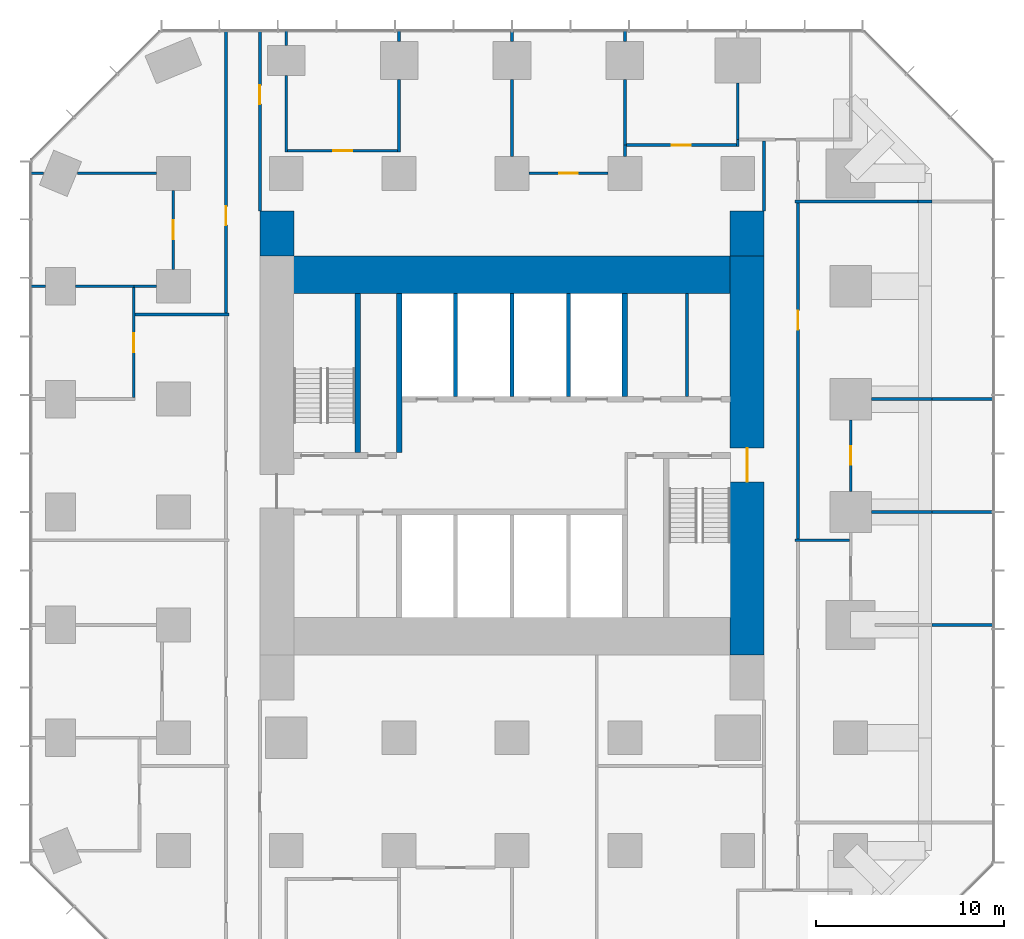
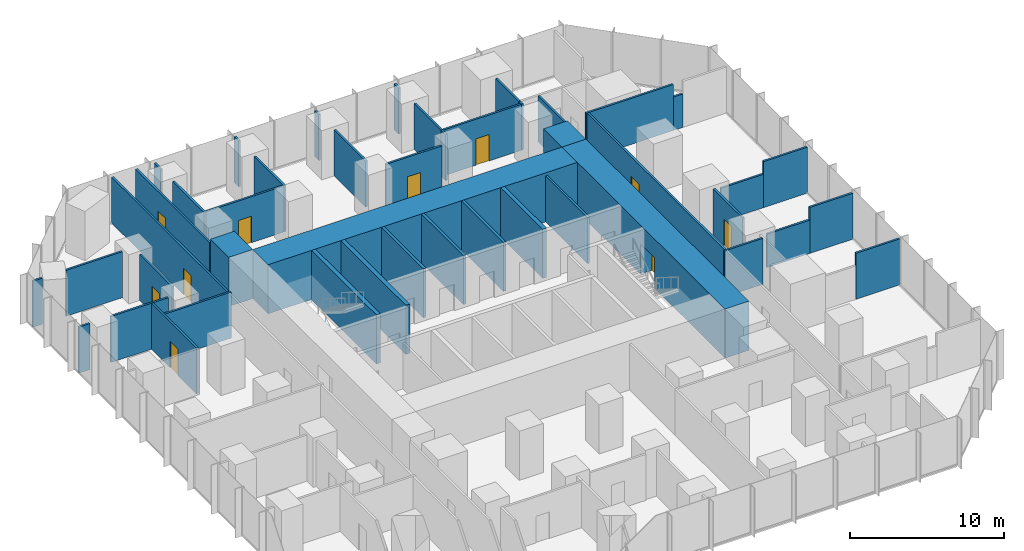
# One storey, part 10 of 12: 46 walls, 10 doors, 10 openings.
"""IFC4 building model written with IfcOpenShell, lengths in metres."""

from ifc_helpers import new_model, si_unit, direction, frame, frame_2d, origin, place, context, subcontext, project, spatial, rectangle, extrude, material, layer, layer_set, type_object, element, fill, save


model = new_model("IFC4")

# Units and contexts
model_context = context("Model", 3, precision=1e-05, world=origin(), true_north=direction((0.0, 1.0)))
body_context = subcontext(model_context, "Body", "Model", "MODEL_VIEW")
ifc_project = project(units=[si_unit("LENGTHUNIT", "METRE"), si_unit("AREAUNIT", "SQUARE_METRE"), si_unit("VOLUMEUNIT", "CUBIC_METRE"), si_unit("PLANEANGLEUNIT", "RADIAN"), si_unit("MASSUNIT", "GRAM", prefix="KILO")], contexts=[model_context])

# Site, building, storey
site_placement = place(None, origin())
site = spatial("IfcSite", under=ifc_project, at=site_placement, CompositionType="ELEMENT")
building_placement = place(site_placement, origin())
building = spatial("IfcBuilding", under=site, at=building_placement, Name="Highveld Stack Headquarters", CompositionType="ELEMENT")
storey_placement = place(building_placement, frame((0.0, 0.0, 53.300048828125)))
storey = spatial("IfcBuildingStorey", under=building, at=storey_placement, Name="L12", CompositionType="ELEMENT", Elevation=53.300048828125)

# Wall, opening, door
ifc_material_1 = material(Name="Concrete C60/75", Category="concrete")
ifc_layer_1 = layer(ifc_material_1, 1.800048828125)
ifc_layer_set_1 = layer_set([ifc_layer_1], Name="Concrete C60/75")
wall_type_1 = type_object("IfcWallType", Name="CORE WALL 1800 C60/75", PredefinedType="SHEAR", material=ifc_layer_set_1)
wall_1_placement = place(storey_placement, frame((18.5, -7.60009765625, 0.0), z_axis=(0.0, 0.0, 1.0), x_axis=(0.0, 1.0, 0.0)))
wall_1 = element("IfcWall", 1, at=wall_1_placement, inside=storey, type_object=wall_type_1, Name="Core wall E L12", PredefinedType="SHEAR", context=body_context, shape_type="SweptSolid", body=[
    extrude(rectangle(XDim=21.2001953125, YDim=1.800048828125, at=frame_2d((10.60009765625, 0.0))), origin(), (0.0, 0.0, 1.0), 3.89990234375),
])
opening_1_placement = place(wall_1_placement, frame((9.199951171875, 0.0, 0.0)))
opening_1 = element("IfcOpeningElement", 2, at=opening_1_placement, cuts=wall_1, Name="Opening L12-02", PredefinedType="OPENING", context=body_context, shape_type="SweptSolid", body=[
    extrude(rectangle(XDim=1.800048828125, YDim=2.39990234375, at=frame_2d((0.89990234375, 1.199951171875))), frame((0.0, 0.909912109375, 0.0), z_axis=(0.0, -1.0, 0.0), x_axis=(1.0, 0.0, 0.0)), (0.0, 0.0, 1.0), 1.820068359375),
])
ifc_material_2 = material(Name="Steel fire door", Category="steel")
door_type_1 = type_object("IfcDoorType", Name="LOBBY FIRE DOOR D4 1800x2400", OperationType="DOUBLE_DOOR_SINGLE_SWING", PredefinedType="DOOR", material=ifc_material_2)
door_1_placement = place(opening_1_placement, origin())
door_1 = element("IfcDoor", 3, at=door_1_placement, inside=storey, type_object=door_type_1, Name="Core east door L12", OperationType="DOUBLE_DOOR_SINGLE_SWING", OverallHeight=2.39990234375, OverallWidth=1.800048828125, PredefinedType="DOOR", context=body_context, shape_type="SweptSolid", body=[
    extrude(rectangle(XDim=1.800048828125, YDim=2.39990234375, at=frame_2d((0.89990234375, 1.199951171875))), frame((0.0, 0.02490234375, 0.0), z_axis=(0.0, -1.0, 0.0), x_axis=(1.0, 0.0, 0.0)), (0.0, 0.0, 1.0), 0.050048828125),
])
fill(opening_1, door_1)

# Walls
ifc_material_3 = material(Name="Concrete C60/75", Category="concrete")
ifc_layer_2 = layer(ifc_material_3, 2.0)
ifc_layer_set_2 = layer_set([ifc_layer_2], Name="Concrete C60/75")
wall_type_2 = type_object("IfcWallType", Name="CORE WALL 2000 C60/75", PredefinedType="SHEAR", material=ifc_layer_set_2)
wall_2_placement = place(storey_placement, frame((-5.60009765625, 12.60009765625, 0.0), z_axis=(0.0, 0.0, 1.0), x_axis=(1.0, 0.0, 0.0)))
element("IfcWall", 4, at=wall_2_placement, inside=storey, type_object=wall_type_2, Name="Core wall N L12", PredefinedType="SHEAR", context=body_context, shape_type="SweptSolid", body=[
    extrude(rectangle(XDim=23.2001953125, YDim=2.0, at=frame_2d((11.60009765625, 0.0))), origin(), (0.0, 0.0, 1.0), 3.89990234375),
])
ifc_material_4 = material(Name="Concrete C60/75", Category="concrete")
ifc_layer_3 = layer(ifc_material_4, 0.300048828125)
ifc_layer_set_3 = layer_set([ifc_layer_3], Name="Concrete C60/75")
wall_type_3 = type_object("IfcWallType", Name="CORE WALL 300 C60/75", PredefinedType="SHEAR", material=ifc_layer_set_3)
wall_3_placement = place(storey_placement, frame((0.0, 3.14990234375, 0.0), z_axis=(0.0, 0.0, 1.0), x_axis=(0.0, 1.0, 0.0)))
element("IfcWall", 5, at=wall_3_placement, inside=storey, type_object=wall_type_3, Name="Core wall I-X0N L12", PredefinedType="SHEAR", context=body_context, shape_type="SweptSolid", body=[
    extrude(rectangle(XDim=8.4501953125, YDim=0.300048828125, at=frame_2d((4.22509765625, 0.0))), origin(), (0.0, 0.0, 1.0), 3.89990234375),
])
wall_4_placement = place(storey_placement, frame((12.0, 6.14990234375, 0.0), z_axis=(0.0, 0.0, 1.0), x_axis=(0.0, 1.0, 0.0)))
element("IfcWall", 6, at=wall_4_placement, inside=storey, type_object=wall_type_3, Name="Core wall I-X12N L12", PredefinedType="SHEAR", context=body_context, shape_type="SweptSolid", body=[
    extrude(rectangle(XDim=5.4501953125, YDim=0.300048828125, at=frame_2d((2.72509765625, 0.0))), origin(), (0.0, 0.0, 1.0), 3.89990234375),
])
wall_5_placement = place(storey_placement, frame((-2.199951171875, 3.14990234375, 0.0), z_axis=(0.0, 0.0, 1.0), x_axis=(0.0, 1.0, 0.0)))
element("IfcWall", 7, at=wall_5_placement, inside=storey, type_object=wall_type_3, Name="Core wall I-RW L12", PredefinedType="SHEAR", context=body_context, shape_type="SweptSolid", body=[
    extrude(rectangle(XDim=8.4501953125, YDim=0.300048828125, at=frame_2d((4.22509765625, 0.0))), origin(), (0.0, 0.0, 1.0), 3.89990234375),
])
ifc_material_5 = material(Name="Concrete C60/75", Category="concrete")
ifc_layer_4 = layer(ifc_material_5, 1.800048828125)
ifc_layer_set_4 = layer_set([ifc_layer_4], Name="Concrete C60/75")
wall_type_4 = type_object("IfcWallType", Name="CORE WING WALL 1800 C60/75", PredefinedType="SHEAR", material=ifc_layer_set_4)
for number, where, z_axis, x_axis, name in (
    (8, (-6.5, 13.60009765625, 0.0), (0.0, 0.0, 1.0), (0.0, 1.0, 0.0), "Core wing wall WN L12"),
    (9, (18.5, 13.60009765625, 0.0), (0.0, 0.0, 1.0), (0.0, 1.0, 0.0), "Core wing wall EN L12"),
):
    element("IfcWall", number, at=place(storey_placement, frame(where, z_axis=z_axis, x_axis=x_axis)), inside=storey, type_object=wall_type_4, Name=name, PredefinedType="SHEAR", context=body_context, shape_type="SweptSolid", body=[
        extrude(rectangle(XDim=2.39990234375, YDim=1.800048828125, at=frame_2d((1.199951171875, 0.0))), origin(), (0.0, 0.0, 1.0), 3.89990234375),
    ])

# Wall, opening, door
ifc_material_6 = material(Name="Laminated glass in aluminium frame", Category="aluminium")
ifc_layer_5 = layer(ifc_material_6, 0.14990234375)
ifc_layer_set_5 = layer_set([ifc_layer_5], Name="Laminated glass in aluminium frame")
wall_type_5 = type_object("IfcWallType", Name="GLAZED PARTITION 150", PredefinedType="PARTITIONING", material=ifc_layer_set_5)
wall_6_placement = place(storey_placement, frame((24.0, 1.10009765625, 0.0), z_axis=(0.0, 0.0, 1.0), x_axis=(0.0, 1.0, 0.0)))
wall_6 = element("IfcWall", 10, at=wall_6_placement, inside=storey, type_object=wall_type_5, Name="Glazed partition Meeting room L12", PredefinedType="PARTITIONING", context=body_context, shape_type="SweptSolid", body=[
    extrude(rectangle(XDim=3.7998046875, YDim=0.14990234375, at=frame_2d((1.89990234375, 0.0))), origin(), (0.0, 0.0, 1.0), 3.64990234375),
])
opening_2_placement = place(wall_6_placement, frame((1.39990234375, 0.0, 0.0)))
opening_2 = element("IfcOpeningElement", 11, at=opening_2_placement, cuts=wall_6, Name="Opening L12-19", PredefinedType="OPENING", context=body_context, shape_type="SweptSolid", body=[
    extrude(rectangle(XDim=1.0, YDim=2.10009765625, at=frame_2d((0.5, 1.050048828125))), frame((0.0, 0.0849609375, 0.0), z_axis=(0.0, -1.0, 0.0), x_axis=(1.0, 0.0, 0.0)), (0.0, 0.0, 1.0), 0.169921875),
])
ifc_material_7 = material(Name="Timber door, oiled ash", Category="wood")
door_type_2 = type_object("IfcDoorType", Name="ROOM DOOR D6 1000x2100", OperationType="SINGLE_SWING_LEFT", PredefinedType="DOOR", material=ifc_material_7)
door_2_placement = place(opening_2_placement, origin())
door_2 = element("IfcDoor", 12, at=door_2_placement, inside=storey, type_object=door_type_2, Name="Meeting room door 1 L12", OperationType="SINGLE_SWING_RIGHT", OverallHeight=2.10009765625, OverallWidth=1.0, PredefinedType="DOOR", context=body_context, shape_type="SweptSolid", body=[
    extrude(rectangle(XDim=1.0, YDim=2.10009765625, at=frame_2d((0.5, 1.050048828125))), frame((0.0, 0.02490234375, 0.0), z_axis=(0.0, -1.0, 0.0), x_axis=(1.0, 0.0, 0.0)), (0.0, 0.0, 1.0), 0.050048828125),
])
fill(opening_2, door_2)

# Walls
ifc_material_8 = material(Name="Concrete blockwork, fair-faced", Category="masonry")
ifc_layer_6 = layer(ifc_material_8, 0.199951171875)
ifc_layer_set_6 = layer_set([ifc_layer_6], Name="Concrete blockwork, fair-faced")
wall_type_6 = type_object("IfcWallType", Name="LIFT SHAFT ENCLOSURE WALL 200 BLOCKWORK", PredefinedType="SOLIDWALL", material=ifc_layer_set_6)
for number, where, z_axis, x_axis, name in (
    (13, (3.0, 6.14990234375, 0.0), (0.0, 0.0, 1.0), (0.0, 1.0, 0.0), "Lift shaft wall L12"),
    (14, (6.0, 6.14990234375, 0.0), (0.0, 0.0, 1.0), (0.0, 1.0, 0.0), "Lift shaft wall L12"),
    (15, (9.0, 6.14990234375, 0.0), (0.0, 0.0, 1.0), (0.0, 1.0, 0.0), "Lift shaft wall L12"),
):
    element("IfcWall", number, at=place(storey_placement, frame(where, z_axis=z_axis, x_axis=x_axis)), inside=storey, type_object=wall_type_6, Name=name, PredefinedType="SOLIDWALL", context=body_context, shape_type="SweptSolid", body=[
        extrude(rectangle(XDim=5.4501953125, YDim=0.199951171875, at=frame_2d((2.72509765625, 0.0))), origin(), (0.0, 0.0, 1.0), 3.89990234375),
    ])
ifc_material_9 = material(Name="Gypsum plasterboard on steel studs", Category="steel")
ifc_layer_7 = layer(ifc_material_9, 0.14990234375)
ifc_layer_set_7 = layer_set([ifc_layer_7], Name="Gypsum plasterboard on steel studs")
wall_type_7 = type_object("IfcWallType", Name="PARTITION 150 PLASTERBOARD", PredefinedType="PARTITIONING", material=ifc_layer_set_7)
wall_7_placement = place(storey_placement, frame((28.31005859375, -6.0, 0.0), z_axis=(0.0, 0.0, 1.0), x_axis=(1.0, 0.0, 0.0)))
element("IfcWall", 16, at=wall_7_placement, inside=storey, type_object=wall_type_7, Name="Partition Meeting room L12", PredefinedType="PARTITIONING", context=body_context, shape_type="SweptSolid", body=[
    extrude(rectangle(XDim=3.2900390625, YDim=0.14990234375, at=frame_2d((1.64501953125, 0.0))), origin(), (0.0, 0.0, 1.0), 3.64990234375),
])
wall_8_placement = place(storey_placement, frame((25.10009765625, 0.0, 0.0), z_axis=(0.0, 0.0, 1.0), x_axis=(1.0, 0.0, 0.0)))
element("IfcWall", 17, at=wall_8_placement, inside=storey, type_object=wall_type_7, Name="Partition Meeting room L12", PredefinedType="PARTITIONING", context=body_context, shape_type="SweptSolid", body=[
    extrude(rectangle(XDim=3.2099609375, YDim=0.14990234375, at=frame_2d((1.60498046875, 0.0))), origin(), (0.0, 0.0, 1.0), 2.64990234375),
])
wall_9_placement = place(storey_placement, frame((28.31005859375, 0.0, 0.0), z_axis=(0.0, 0.0, 1.0), x_axis=(1.0, 0.0, 0.0)))
element("IfcWall", 18, at=wall_9_placement, inside=storey, type_object=wall_type_7, Name="Partition Meeting room L12", PredefinedType="PARTITIONING", context=body_context, shape_type="SweptSolid", body=[
    extrude(rectangle(XDim=3.239990234375, YDim=0.14990234375, at=frame_2d((1.6201171875, 0.0))), origin(), (0.0, 0.0, 1.0), 3.64990234375),
])
wall_10_placement = place(storey_placement, frame((25.10009765625, 6.0, 0.0), z_axis=(0.0, 0.0, 1.0), x_axis=(1.0, 0.0, 0.0)))
element("IfcWall", 19, at=wall_10_placement, inside=storey, type_object=wall_type_7, Name="Partition Meeting room L12", PredefinedType="PARTITIONING", context=body_context, shape_type="SweptSolid", body=[
    extrude(rectangle(XDim=3.2099609375, YDim=0.14990234375, at=frame_2d((1.60498046875, 0.0))), origin(), (0.0, 0.0, 1.0), 2.64990234375),
])
wall_11_placement = place(storey_placement, frame((28.31005859375, 6.0, 0.0), z_axis=(0.0, 0.0, 1.0), x_axis=(1.0, 0.0, 0.0)))
element("IfcWall", 20, at=wall_11_placement, inside=storey, type_object=wall_type_7, Name="Partition Meeting room L12", PredefinedType="PARTITIONING", context=body_context, shape_type="SweptSolid", body=[
    extrude(rectangle(XDim=3.2900390625, YDim=0.14990234375, at=frame_2d((1.64501953125, 0.0))), origin(), (0.0, 0.0, 1.0), 3.64990234375),
])
wall_12_placement = place(storey_placement, frame((-19.60009765625, 12.0, 0.0), z_axis=(0.0, 0.0, 1.0), x_axis=(1.0, 0.0, 0.0)))
element("IfcWall", 21, at=wall_12_placement, inside=storey, type_object=wall_type_7, Name="Partition Focus room / Office L12", PredefinedType="PARTITIONING", context=body_context, shape_type="SweptSolid", body=[
    extrude(rectangle(XDim=0.800048828125, YDim=0.14990234375, at=frame_2d((0.39990234375, 0.0))), origin(), (0.0, 0.0, 1.0), 3.64990234375),
])
wall_13_placement = place(storey_placement, frame((-17.199951171875, 12.0, 0.0), z_axis=(0.0, 0.0, 1.0), x_axis=(1.0, 0.0, 0.0)))
element("IfcWall", 22, at=wall_13_placement, inside=storey, type_object=wall_type_7, Name="Partition Focus room / Office L12", PredefinedType="PARTITIONING", context=body_context, shape_type="SweptSolid", body=[
    extrude(rectangle(XDim=3.175048828125, YDim=0.14990234375, at=frame_2d((1.58740234375, 0.0))), origin(), (0.0, 0.0, 1.0), 3.64990234375),
])
wall_14_placement = place(storey_placement, frame((-14.10009765625, 12.0, 0.0), z_axis=(0.0, 0.0, 1.0), x_axis=(1.0, 0.0, 0.0)))
element("IfcWall", 23, at=wall_14_placement, inside=storey, type_object=wall_type_7, Name="Partition Office L12", PredefinedType="PARTITIONING", context=body_context, shape_type="SweptSolid", body=[
    extrude(rectangle(XDim=1.2001953125, YDim=0.14990234375, at=frame_2d((0.60009765625, 0.0))), origin(), (0.0, 0.0, 1.0), 3.64990234375),
])
wall_15_placement = place(storey_placement, frame((-19.60009765625, 18.0, 0.0), z_axis=(0.0, 0.0, 1.0), x_axis=(1.0, 0.0, 0.0)))
element("IfcWall", 24, at=wall_15_placement, inside=storey, type_object=wall_type_7, Name="Partition Office L12", PredefinedType="PARTITIONING", context=body_context, shape_type="SweptSolid", body=[
    extrude(rectangle(XDim=0.703125, YDim=0.14990234375, at=frame_2d((0.3515625, 0.0))), origin(), (0.0, 0.0, 1.0), 3.64990234375),
])
wall_16_placement = place(storey_placement, frame((-17.10302734375, 18.0, 0.0), z_axis=(0.0, 0.0, 1.0), x_axis=(1.0, 0.0, 0.0)))
element("IfcWall", 25, at=wall_16_placement, inside=storey, type_object=wall_type_7, Name="Partition Office L12", PredefinedType="PARTITIONING", context=body_context, shape_type="SweptSolid", body=[
    extrude(rectangle(XDim=4.203125, YDim=0.14990234375, at=frame_2d((2.1015625, 0.0))), origin(), (0.0, 0.0, 1.0), 3.64990234375),
])

# Wall, opening, door
wall_17_placement = place(storey_placement, frame((6.89990234375, 18.0, 0.0), z_axis=(0.0, 0.0, 1.0), x_axis=(1.0, 0.0, 0.0)))
wall_17 = element("IfcWall", 26, at=wall_17_placement, inside=storey, type_object=wall_type_7, Name="Partition Office L12", PredefinedType="PARTITIONING", context=body_context, shape_type="SweptSolid", body=[
    extrude(rectangle(XDim=4.2001953125, YDim=0.14990234375, at=frame_2d((2.10009765625, 0.0))), origin(), (0.0, 0.0, 1.0), 3.64990234375),
])
opening_3_placement = place(wall_17_placement, frame((1.60009765625, 0.0, 0.0)))
opening_3 = element("IfcOpeningElement", 27, at=opening_3_placement, cuts=wall_17, Name="Opening L12-21", PredefinedType="OPENING", context=body_context, shape_type="SweptSolid", body=[
    extrude(rectangle(XDim=1.0, YDim=2.10009765625, at=frame_2d((0.5, 1.050048828125))), frame((0.0, 0.0849609375, 0.0), z_axis=(0.0, -1.0, 0.0), x_axis=(1.0, 0.0, 0.0)), (0.0, 0.0, 1.0), 0.169921875),
])
door_3_placement = place(opening_3_placement, origin())
door_3 = element("IfcDoor", 28, at=door_3_placement, inside=storey, type_object=door_type_2, Name="Office door 1 L12", OperationType="SINGLE_SWING_LEFT", OverallHeight=2.10009765625, OverallWidth=1.0, PredefinedType="DOOR", context=body_context, shape_type="SweptSolid", body=[
    extrude(rectangle(XDim=1.0, YDim=2.10009765625, at=frame_2d((0.5, 1.050048828125))), frame((0.0, 0.02490234375, 0.0), z_axis=(0.0, -1.0, 0.0), x_axis=(1.0, 0.0, 0.0)), (0.0, 0.0, 1.0), 0.050048828125),
])
fill(opening_3, door_3)

wall_18_placement = place(storey_placement, frame((-5.925048828125, 19.199951171875, 0.0), z_axis=(0.0, 0.0, 1.0), x_axis=(1.0, 0.0, 0.0)))
wall_18 = element("IfcWall", 29, at=wall_18_placement, inside=storey, type_object=wall_type_7, Name="Partition Tea kitchen L12", PredefinedType="PARTITIONING", context=body_context, shape_type="SweptSolid", body=[
    extrude(rectangle(XDim=5.85009765625, YDim=0.14990234375, at=frame_2d((2.925048828125, 0.0))), origin(), (0.0, 0.0, 1.0), 3.64990234375),
])
opening_4_placement = place(wall_18_placement, frame((2.425048828125, 0.0, 0.0)))
opening_4 = element("IfcOpeningElement", 30, at=opening_4_placement, cuts=wall_18, Name="Opening L12-20", PredefinedType="OPENING", context=body_context, shape_type="SweptSolid", body=[
    extrude(rectangle(XDim=1.0, YDim=2.10009765625, at=frame_2d((0.5, 1.050048828125))), frame((0.0, 0.0849609375, 0.0), z_axis=(0.0, -1.0, 0.0), x_axis=(1.0, 0.0, 0.0)), (0.0, 0.0, 1.0), 0.169921875),
])
door_4_placement = place(opening_4_placement, origin())
door_4 = element("IfcDoor", 31, at=door_4_placement, inside=storey, type_object=door_type_2, Name="Tea kitchen door 1 L12", OperationType="SINGLE_SWING_RIGHT", OverallHeight=2.10009765625, OverallWidth=1.0, PredefinedType="DOOR", context=body_context, shape_type="SweptSolid", body=[
    extrude(rectangle(XDim=1.0, YDim=2.10009765625, at=frame_2d((0.5, 1.050048828125))), frame((0.0, 0.02490234375, 0.0), z_axis=(0.0, -1.0, 0.0), x_axis=(1.0, 0.0, 0.0)), (0.0, 0.0, 1.0), 0.050048828125),
])
fill(opening_4, door_4)

wall_19_placement = place(storey_placement, frame((12.074951171875, 19.5, 0.0), z_axis=(0.0, 0.0, 1.0), x_axis=(1.0, 0.0, 0.0)))
wall_19 = element("IfcWall", 32, at=wall_19_placement, inside=storey, type_object=wall_type_7, Name="Partition Quiet room L12", PredefinedType="PARTITIONING", context=body_context, shape_type="SweptSolid", body=[
    extrude(rectangle(XDim=5.85009765625, YDim=0.14990234375, at=frame_2d((2.925048828125, 0.0))), origin(), (0.0, 0.0, 1.0), 3.64990234375),
])
opening_5_placement = place(wall_19_placement, frame((2.425048828125, 0.0, 0.0)))
opening_5 = element("IfcOpeningElement", 33, at=opening_5_placement, cuts=wall_19, Name="Opening L12-22", PredefinedType="OPENING", context=body_context, shape_type="SweptSolid", body=[
    extrude(rectangle(XDim=1.0, YDim=2.10009765625, at=frame_2d((0.5, 1.050048828125))), frame((0.0, 0.0849609375, 0.0), z_axis=(0.0, -1.0, 0.0), x_axis=(1.0, 0.0, 0.0)), (0.0, 0.0, 1.0), 0.169921875),
])
door_5_placement = place(opening_5_placement, origin())
door_5 = element("IfcDoor", 34, at=door_5_placement, inside=storey, type_object=door_type_2, Name="Quiet room door 1 L12", OperationType="SINGLE_SWING_RIGHT", OverallHeight=2.10009765625, OverallWidth=1.0, PredefinedType="DOOR", context=body_context, shape_type="SweptSolid", body=[
    extrude(rectangle(XDim=1.0, YDim=2.10009765625, at=frame_2d((0.5, 1.050048828125))), frame((0.0, 0.02490234375, 0.0), z_axis=(0.0, -1.0, 0.0), x_axis=(1.0, 0.0, 0.0)), (0.0, 0.0, 1.0), 0.050048828125),
])
fill(opening_5, door_5)

wall_20_placement = place(storey_placement, frame((-14.10009765625, 6.074951171875, 0.0), z_axis=(0.0, 0.0, 1.0), x_axis=(0.0, 1.0, 0.0)))
wall_20 = element("IfcWall", 35, at=wall_20_placement, inside=storey, type_object=wall_type_7, Name="Partition Focus room L12", PredefinedType="PARTITIONING", context=body_context, shape_type="SweptSolid", body=[
    extrude(rectangle(XDim=5.85009765625, YDim=0.14990234375, at=frame_2d((2.925048828125, 0.0))), origin(), (0.0, 0.0, 1.0), 3.64990234375),
])
opening_6_placement = place(wall_20_placement, frame((2.425048828125, 0.0, 0.0)))
opening_6 = element("IfcOpeningElement", 36, at=opening_6_placement, cuts=wall_20, Name="Opening L12-16", PredefinedType="OPENING", context=body_context, shape_type="SweptSolid", body=[
    extrude(rectangle(XDim=1.0, YDim=2.10009765625, at=frame_2d((0.5, 1.050048828125))), frame((0.0, 0.0849609375, 0.0), z_axis=(0.0, -1.0, 0.0), x_axis=(1.0, 0.0, 0.0)), (0.0, 0.0, 1.0), 0.169921875),
])
door_6_placement = place(opening_6_placement, origin())
door_6 = element("IfcDoor", 37, at=door_6_placement, inside=storey, type_object=door_type_2, Name="Focus room door 1 L12", OperationType="SINGLE_SWING_RIGHT", OverallHeight=2.10009765625, OverallWidth=1.0, PredefinedType="DOOR", context=body_context, shape_type="SweptSolid", body=[
    extrude(rectangle(XDim=1.0, YDim=2.10009765625, at=frame_2d((0.5, 1.050048828125))), frame((0.0, 0.02490234375, 0.0), z_axis=(0.0, -1.0, 0.0), x_axis=(1.0, 0.0, 0.0)), (0.0, 0.0, 1.0), 0.050048828125),
])
fill(opening_6, door_6)

wall_21_placement = place(storey_placement, frame((-12.0, 12.89990234375, 0.0), z_axis=(0.0, 0.0, 1.0), x_axis=(0.0, 1.0, 0.0)))
wall_21 = element("IfcWall", 38, at=wall_21_placement, inside=storey, type_object=wall_type_7, Name="Partition Office L12", PredefinedType="PARTITIONING", context=body_context, shape_type="SweptSolid", body=[
    extrude(rectangle(XDim=4.2001953125, YDim=0.14990234375, at=frame_2d((2.10009765625, 0.0))), origin(), (0.0, 0.0, 1.0), 3.64990234375),
])
opening_7_placement = place(wall_21_placement, frame((1.60009765625, 0.0, 0.0)))
opening_7 = element("IfcOpeningElement", 39, at=opening_7_placement, cuts=wall_21, Name="Opening L12-17", PredefinedType="OPENING", context=body_context, shape_type="SweptSolid", body=[
    extrude(rectangle(XDim=1.0, YDim=2.10009765625, at=frame_2d((0.5, 1.050048828125))), frame((0.0, 0.0849609375, 0.0), z_axis=(0.0, -1.0, 0.0), x_axis=(1.0, 0.0, 0.0)), (0.0, 0.0, 1.0), 0.169921875),
])
door_7_placement = place(opening_7_placement, origin())
door_7 = element("IfcDoor", 40, at=door_7_placement, inside=storey, type_object=door_type_2, Name="Office door 1 L12", OperationType="SINGLE_SWING_LEFT", OverallHeight=2.10009765625, OverallWidth=1.0, PredefinedType="DOOR", context=body_context, shape_type="SweptSolid", body=[
    extrude(rectangle(XDim=1.0, YDim=2.10009765625, at=frame_2d((0.5, 1.050048828125))), frame((0.0, 0.02490234375, 0.0), z_axis=(0.0, -1.0, 0.0), x_axis=(1.0, 0.0, 0.0)), (0.0, 0.0, 1.0), 0.050048828125),
])
fill(opening_7, door_7)

# Walls
wall_22_placement = place(storey_placement, frame((-6.0, 19.125, 0.0), z_axis=(0.0, 0.0, 1.0), x_axis=(0.0, 1.0, 0.0)))
element("IfcWall", 41, at=wall_22_placement, inside=storey, type_object=wall_type_7, Name="Partition Tea kitchen L12", PredefinedType="PARTITIONING", context=body_context, shape_type="SweptSolid", body=[
    extrude(rectangle(XDim=4.074951171875, YDim=0.14990234375, at=frame_2d((2.03759765625, 0.0))), origin(), (0.0, 0.0, 1.0), 3.64990234375),
])
wall_23_placement = place(storey_placement, frame((-6.0, 24.800048828125, 0.0), z_axis=(0.0, 0.0, 1.0), x_axis=(0.0, 1.0, 0.0)))
element("IfcWall", 42, at=wall_23_placement, inside=storey, type_object=wall_type_7, Name="Partition Tea kitchen L12", PredefinedType="PARTITIONING", context=body_context, shape_type="SweptSolid", body=[
    extrude(rectangle(XDim=0.800048828125, YDim=0.14990234375, at=frame_2d((0.39990234375, 0.0))), origin(), (0.0, 0.0, 1.0), 3.64990234375),
])
wall_24_placement = place(storey_placement, frame((0.0, 19.125, 0.0), z_axis=(0.0, 0.0, 1.0), x_axis=(0.0, 1.0, 0.0)))
element("IfcWall", 43, at=wall_24_placement, inside=storey, type_object=wall_type_7, Name="Partition Tea kitchen L12", PredefinedType="PARTITIONING", context=body_context, shape_type="SweptSolid", body=[
    extrude(rectangle(XDim=3.875, YDim=0.14990234375, at=frame_2d((1.9375, 0.0))), origin(), (0.0, 0.0, 1.0), 3.64990234375),
])
wall_25_placement = place(storey_placement, frame((0.0, 25.0, 0.0), z_axis=(0.0, 0.0, 1.0), x_axis=(0.0, 1.0, 0.0)))
element("IfcWall", 44, at=wall_25_placement, inside=storey, type_object=wall_type_7, Name="Partition Tea kitchen L12", PredefinedType="PARTITIONING", context=body_context, shape_type="SweptSolid", body=[
    extrude(rectangle(XDim=0.60009765625, YDim=0.14990234375, at=frame_2d((0.300048828125, 0.0))), origin(), (0.0, 0.0, 1.0), 3.64990234375),
])
wall_26_placement = place(storey_placement, frame((6.0, 18.89990234375, 0.0), z_axis=(0.0, 0.0, 1.0), x_axis=(0.0, 1.0, 0.0)))
element("IfcWall", 45, at=wall_26_placement, inside=storey, type_object=wall_type_7, Name="Partition Office L12", PredefinedType="PARTITIONING", context=body_context, shape_type="SweptSolid", body=[
    extrude(rectangle(XDim=4.10009765625, YDim=0.14990234375, at=frame_2d((2.050048828125, 0.0))), origin(), (0.0, 0.0, 1.0), 3.64990234375),
])
wall_27_placement = place(storey_placement, frame((6.0, 25.0, 0.0), z_axis=(0.0, 0.0, 1.0), x_axis=(0.0, 1.0, 0.0)))
element("IfcWall", 46, at=wall_27_placement, inside=storey, type_object=wall_type_7, Name="Partition Office L12", PredefinedType="PARTITIONING", context=body_context, shape_type="SweptSolid", body=[
    extrude(rectangle(XDim=0.550048828125, YDim=0.14990234375, at=frame_2d((0.27490234375, 0.0))), origin(), (0.0, 0.0, 1.0), 3.64990234375),
])
wall_28_placement = place(storey_placement, frame((12.0, 18.89990234375, 0.0), z_axis=(0.0, 0.0, 1.0), x_axis=(0.0, 1.0, 0.0)))
element("IfcWall", 47, at=wall_28_placement, inside=storey, type_object=wall_type_7, Name="Partition Office L12", PredefinedType="PARTITIONING", context=body_context, shape_type="SweptSolid", body=[
    extrude(rectangle(XDim=0.60009765625, YDim=0.14990234375, at=frame_2d((0.300048828125, 0.0))), origin(), (0.0, 0.0, 1.0), 3.64990234375),
])
wall_29_placement = place(storey_placement, frame((12.0, 19.5, 0.0), z_axis=(0.0, 0.0, 1.0), x_axis=(0.0, 1.0, 0.0)))
element("IfcWall", 48, at=wall_29_placement, inside=storey, type_object=wall_type_7, Name="Partition Office / Quiet room L12", PredefinedType="PARTITIONING", context=body_context, shape_type="SweptSolid", body=[
    extrude(rectangle(XDim=3.5, YDim=0.14990234375, at=frame_2d((1.75, 0.0))), origin(), (0.0, 0.0, 1.0), 3.64990234375),
])
wall_30_placement = place(storey_placement, frame((12.0, 25.0, 0.0), z_axis=(0.0, 0.0, 1.0), x_axis=(0.0, 1.0, 0.0)))
element("IfcWall", 49, at=wall_30_placement, inside=storey, type_object=wall_type_7, Name="Partition Office / Quiet room L12", PredefinedType="PARTITIONING", context=body_context, shape_type="SweptSolid", body=[
    extrude(rectangle(XDim=0.60009765625, YDim=0.14990234375, at=frame_2d((0.300048828125, 0.0))), origin(), (0.0, 0.0, 1.0), 3.64990234375),
])
wall_31_placement = place(storey_placement, frame((18.0, 19.425048828125, 0.0), z_axis=(0.0, 0.0, 1.0), x_axis=(0.0, 1.0, 0.0)))
element("IfcWall", 50, at=wall_31_placement, inside=storey, type_object=wall_type_7, Name="Partition Quiet room L12", PredefinedType="PARTITIONING", context=body_context, shape_type="SweptSolid", body=[
    extrude(rectangle(XDim=0.375, YDim=0.14990234375, at=frame_2d((0.1875, 0.0))), origin(), (0.0, 0.0, 1.0), 3.64990234375),
])
wall_32_placement = place(storey_placement, frame((18.0, 19.800048828125, 0.0), z_axis=(0.0, 0.0, 1.0), x_axis=(0.0, 1.0, 0.0)))
element("IfcWall", 51, at=wall_32_placement, inside=storey, type_object=wall_type_7, Name="Partition Print room / Quiet room L12", PredefinedType="PARTITIONING", context=body_context, shape_type="SweptSolid", body=[
    extrude(rectangle(XDim=3.0, YDim=0.14990234375, at=frame_2d((1.5, 0.0))), origin(), (0.0, 0.0, 1.0), 3.64990234375),
])
wall_33_placement = place(storey_placement, frame((-14.02490234375, 10.5, 0.0), z_axis=(0.0, 0.0, 1.0), x_axis=(1.0, 0.0, 0.0)))
element("IfcWall", 52, at=wall_33_placement, inside=storey, type_object=wall_type_7, Name="Partition office neighbourhood L12", PredefinedType="PARTITIONING", context=body_context, shape_type="SweptSolid", body=[
    extrude(rectangle(XDim=4.974853515625, YDim=0.14990234375, at=frame_2d((2.4873046875, 0.0))), origin(), (0.0, 0.0, 1.0), 3.64990234375),
])

# Wall, opening, door
wall_34_placement = place(storey_placement, frame((-9.199951171875, 10.574951171875, 0.0), z_axis=(0.0, 0.0, 1.0), x_axis=(0.0, 1.0, 0.0)))
wall_34 = element("IfcWall", 53, at=wall_34_placement, inside=storey, type_object=wall_type_7, Name="Partition office neighbourhood L12", PredefinedType="PARTITIONING", context=body_context, shape_type="SweptSolid", body=[
    extrude(rectangle(XDim=15.025146484375, YDim=0.14990234375, at=frame_2d((7.5126953125, 0.0))), origin(), (0.0, 0.0, 1.0), 3.64990234375),
])
opening_8_placement = place(wall_34_placement, frame((4.675048828125, 0.0, 0.0)))
opening_8 = element("IfcOpeningElement", 54, at=opening_8_placement, cuts=wall_34, Name="Opening L12-32", PredefinedType="OPENING", context=body_context, shape_type="SweptSolid", body=[
    extrude(rectangle(XDim=1.0, YDim=2.10009765625, at=frame_2d((0.5, 1.050048828125))), frame((0.0, 0.0849609375, 0.0), z_axis=(0.0, -1.0, 0.0), x_axis=(1.0, 0.0, 0.0)), (0.0, 0.0, 1.0), 0.169921875),
])
door_8_placement = place(opening_8_placement, origin())
door_8 = element("IfcDoor", 55, at=door_8_placement, inside=storey, type_object=door_type_2, Name="Office neighbourhood door L12", OperationType="SINGLE_SWING_LEFT", OverallHeight=2.10009765625, OverallWidth=1.0, PredefinedType="DOOR", context=body_context, shape_type="SweptSolid", body=[
    extrude(rectangle(XDim=1.0, YDim=2.10009765625, at=frame_2d((0.5, 1.050048828125))), frame((0.0, 0.02490234375, 0.0), z_axis=(0.0, -1.0, 0.0), x_axis=(1.0, 0.0, 0.0)), (0.0, 0.0, 1.0), 0.050048828125),
])
fill(opening_8, door_8)

wall_35_placement = place(storey_placement, frame((-7.39990234375, 16.0, 0.0), z_axis=(0.0, 0.0, 1.0), x_axis=(0.0, 1.0, 0.0)))
wall_35 = element("IfcWall", 56, at=wall_35_placement, inside=storey, type_object=wall_type_7, Name="Partition office neighbourhood L12", PredefinedType="PARTITIONING", context=body_context, shape_type="SweptSolid", body=[
    extrude(rectangle(XDim=9.60009765625, YDim=0.14990234375, at=frame_2d((4.800048828125, 0.0))), origin(), (0.0, 0.0, 1.0), 3.64990234375),
])
opening_9_placement = place(wall_35_placement, frame((5.675048828125, 0.0, 0.0)))
opening_9 = element("IfcOpeningElement", 57, at=opening_9_placement, cuts=wall_35, Name="Opening L12-31", PredefinedType="OPENING", context=body_context, shape_type="SweptSolid", body=[
    extrude(rectangle(XDim=1.0, YDim=2.10009765625, at=frame_2d((0.5, 1.050048828125))), frame((0.0, 0.0849609375, 0.0), z_axis=(0.0, -1.0, 0.0), x_axis=(1.0, 0.0, 0.0)), (0.0, 0.0, 1.0), 0.169921875),
])
door_9_placement = place(opening_9_placement, origin())
door_9 = element("IfcDoor", 58, at=door_9_placement, inside=storey, type_object=door_type_2, Name="Office neighbourhood door L12", OperationType="SINGLE_SWING_RIGHT", OverallHeight=2.10009765625, OverallWidth=1.0, PredefinedType="DOOR", context=body_context, shape_type="SweptSolid", body=[
    extrude(rectangle(XDim=1.0, YDim=2.10009765625, at=frame_2d((0.5, 1.050048828125))), frame((0.0, 0.02490234375, 0.0), z_axis=(0.0, -1.0, 0.0), x_axis=(1.0, 0.0, 0.0)), (0.0, 0.0, 1.0), 0.050048828125),
])
fill(opening_9, door_9)

# Wall
wall_36_placement = place(storey_placement, frame((19.39990234375, 16.0, 0.0), z_axis=(0.0, 0.0, 1.0), x_axis=(0.0, 1.0, 0.0)))
element("IfcWall", 59, at=wall_36_placement, inside=storey, type_object=wall_type_7, Name="Partition office neighbourhood L12", PredefinedType="PARTITIONING", context=body_context, shape_type="SweptSolid", body=[
    extrude(rectangle(XDim=3.72509765625, YDim=0.14990234375, at=frame_2d((1.862548828125, 0.0))), origin(), (0.0, 0.0, 1.0), 3.64990234375),
])

# Wall, opening, door
wall_37_placement = place(storey_placement, frame((21.199951171875, -1.425048828125, 0.0), z_axis=(0.0, 0.0, 1.0), x_axis=(0.0, 1.0, 0.0)))
wall_37 = element("IfcWall", 60, at=wall_37_placement, inside=storey, type_object=wall_type_7, Name="Partition office neighbourhood L12", PredefinedType="PARTITIONING", context=body_context, shape_type="SweptSolid", body=[
    extrude(rectangle(XDim=17.85009765625, YDim=0.14990234375, at=frame_2d((8.925048828125, 0.0))), origin(), (0.0, 0.0, 1.0), 3.64990234375),
])
opening_10_placement = place(wall_37_placement, frame((11.125, 0.0, 0.0)))
opening_10 = element("IfcOpeningElement", 61, at=opening_10_placement, cuts=wall_37, Name="Opening L12-30", PredefinedType="OPENING", context=body_context, shape_type="SweptSolid", body=[
    extrude(rectangle(XDim=1.0, YDim=2.10009765625, at=frame_2d((0.5, 1.050048828125))), frame((0.0, 0.0849609375, 0.0), z_axis=(0.0, -1.0, 0.0), x_axis=(1.0, 0.0, 0.0)), (0.0, 0.0, 1.0), 0.169921875),
])
door_10_placement = place(opening_10_placement, origin())
door_10 = element("IfcDoor", 62, at=door_10_placement, inside=storey, type_object=door_type_2, Name="Office neighbourhood door L12", OperationType="SINGLE_SWING_RIGHT", OverallHeight=2.10009765625, OverallWidth=1.0, PredefinedType="DOOR", context=body_context, shape_type="SweptSolid", body=[
    extrude(rectangle(XDim=1.0, YDim=2.10009765625, at=frame_2d((0.5, 1.050048828125))), frame((0.0, 0.02490234375, 0.0), z_axis=(0.0, -1.0, 0.0), x_axis=(1.0, 0.0, 0.0)), (0.0, 0.0, 1.0), 0.050048828125),
])
fill(opening_10, door_10)

# Walls
wall_38_placement = place(storey_placement, frame((21.050048828125, -1.5, 0.0), z_axis=(0.0, 0.0, 1.0), x_axis=(1.0, 0.0, 0.0)))
element("IfcWall", 63, at=wall_38_placement, inside=storey, type_object=wall_type_7, Name="Partition office neighbourhood L12", PredefinedType="PARTITIONING", context=body_context, shape_type="SweptSolid", body=[
    extrude(rectangle(XDim=2.875, YDim=0.14990234375, at=frame_2d((1.4375, 0.0))), origin(), (0.0, 0.0, 1.0), 3.64990234375),
])
wall_39_placement = place(storey_placement, frame((21.050048828125, 16.5, 0.0), z_axis=(0.0, 0.0, 1.0), x_axis=(1.0, 0.0, 0.0)))
element("IfcWall", 64, at=wall_39_placement, inside=storey, type_object=wall_type_7, Name="Partition office neighbourhood L12", PredefinedType="PARTITIONING", context=body_context, shape_type="SweptSolid", body=[
    extrude(rectangle(XDim=6.5400390625, YDim=0.14990234375, at=frame_2d((3.27001953125, 0.0))), origin(), (0.0, 0.0, 1.0), 3.64990234375),
])
wall_40_placement = place(storey_placement, frame((27.590087890625, 16.5, 0.0), z_axis=(0.0, 0.0, 1.0), x_axis=(1.0, 0.0, 0.0)))
element("IfcWall", 65, at=wall_40_placement, inside=storey, type_object=wall_type_7, Name="Partition office neighbourhood L12", PredefinedType="PARTITIONING", context=body_context, shape_type="SweptSolid", body=[
    extrude(rectangle(XDim=0.719970703125, YDim=0.14990234375, at=frame_2d((0.35986328125, 0.0))), origin(), (0.0, 0.0, 1.0), 2.64990234375),
])
ifc_material_10 = material(Name="Concrete blockwork, tiled", Category="masonry")
ifc_layer_8 = layer(ifc_material_10, 0.14990234375)
ifc_layer_set_8 = layer_set([ifc_layer_8], Name="Concrete blockwork, tiled")
wall_type_8 = type_object("IfcWallType", Name="WC PARTITION 150", PredefinedType="PLUMBINGWALL", material=ifc_layer_set_8)
wall_41_placement = place(storey_placement, frame((15.300048828125, 6.14990234375, 0.0), z_axis=(0.0, 0.0, 1.0), x_axis=(0.0, 1.0, 0.0)))
element("IfcWall", 66, at=wall_41_placement, inside=storey, type_object=wall_type_8, Name="Toilet partition L12", PredefinedType="PLUMBINGWALL", context=body_context, shape_type="SweptSolid", body=[
    extrude(rectangle(XDim=5.4501953125, YDim=0.14990234375, at=frame_2d((2.72509765625, 0.0))), origin(), (0.0, 0.0, 1.0), 3.64990234375),
])

save(model, "model.ifc")
